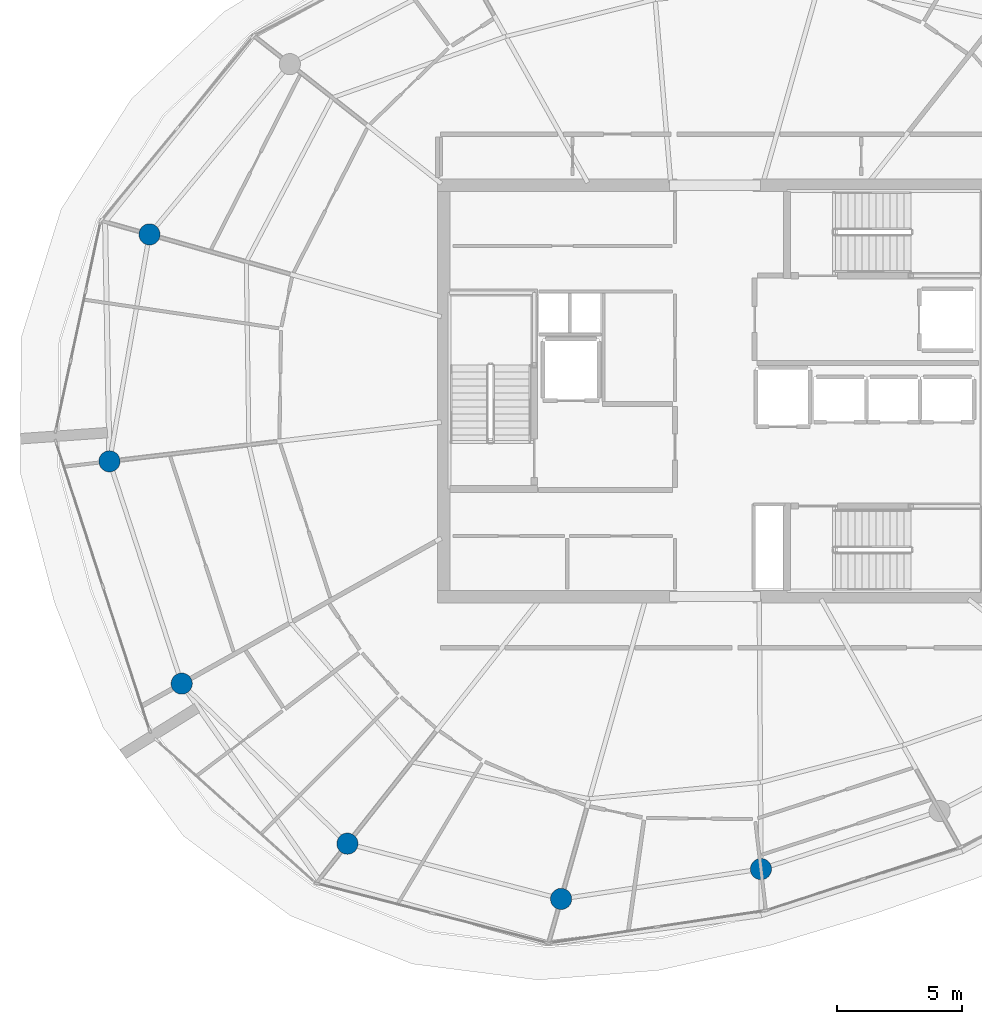
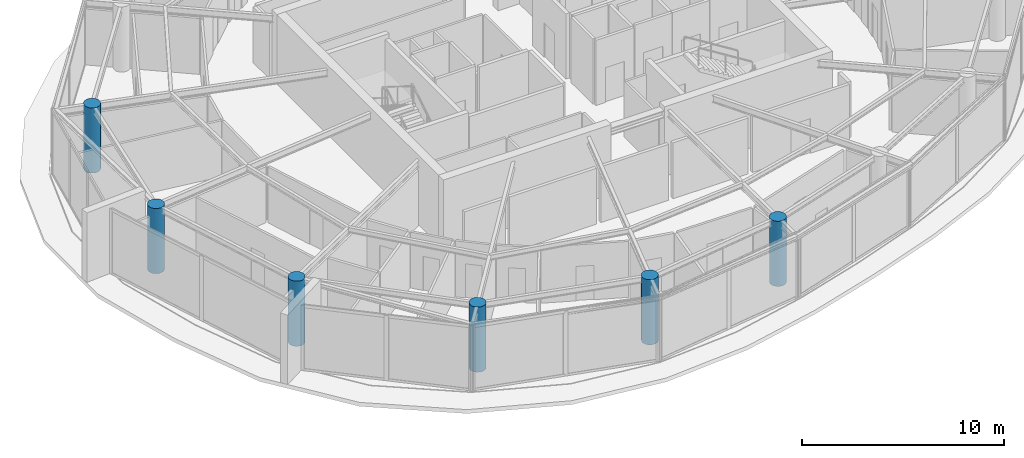
# One storey, part 1 of 16: 6 columns.
"""IFC4 building model written with IfcOpenShell, lengths in metres."""

from ifc_helpers import new_model, si_unit, direction, frame, origin, origin_2d, place, context, subcontext, project, spatial, circle, extrude, material, material_profile, profile_set, type_object, element, save


model = new_model("IFC4")

# Units and contexts
model_context = context("Model", 3, precision=1e-05, world=origin(), true_north=direction((0.0, 1.0)))
body_context = subcontext(model_context, "Body", "Model", "MODEL_VIEW")
ifc_project = project(units=[si_unit("LENGTHUNIT", "METRE"), si_unit("AREAUNIT", "SQUARE_METRE"), si_unit("VOLUMEUNIT", "CUBIC_METRE"), si_unit("PLANEANGLEUNIT", "RADIAN"), si_unit("MASSUNIT", "GRAM", prefix="KILO")], contexts=[model_context])

# Site, building, storey
site_placement = place(None, origin())
site = spatial("IfcSite", under=ifc_project, at=site_placement, CompositionType="ELEMENT")
building_placement = place(site_placement, origin())
building = spatial("IfcBuilding", under=site, at=building_placement, Name="Kazma Halo Residences", CompositionType="ELEMENT")
storey_placement = place(building_placement, frame((0.0, 0.0, 313.699951171875)))
storey = spatial("IfcBuildingStorey", under=building, at=storey_placement, Name="L79", CompositionType="ELEMENT", Elevation=313.699951171875)

# Columns
ifc_material = material(Name="Concrete C60/75", Category="concrete")
ifc_material_profile = material_profile(ifc_material, circle(Radius=0.425048828125, at=origin_2d()), Name="CIRC850")
ifc_profile_set = profile_set([ifc_material_profile], Name="Concrete C60/75")
column_type = type_object("IfcColumnType", Name="COL-PERIM-850", PredefinedType="COLUMN", material=ifc_profile_set)
for number, where, z_axis, x_axis, name in (
    (1, (25.744384765625, 48.276611328125, 0.0), (0.0, 0.0, 1.0), (1.0, 0.0, 0.0), "L79 perimeter ring column P07"),
    (2, (24.1396484375, 39.17578125, 0.0), (0.0, 0.0, 1.0), (1.0, 0.0, 0.0), "L79 perimeter ring column P08"),
    (3, (27.03662109375, 30.260009765625, 0.0), (0.0, 0.0, 1.0), (1.0, 0.0, 0.0), "L79 perimeter ring column P09"),
    (4, (33.68408203125, 23.840576171875, 0.0), (0.0, 0.0, 1.0), (1.0, 0.0, 0.0), "L79 perimeter ring column P10"),
    (5, (42.25341796875, 21.62353515625, 0.0), (0.0, 0.0, 1.0), (1.0, 0.0, 0.0), "L79 perimeter ring column P11"),
    (6, (50.27001953125, 22.82080078125, 0.0), (0.0, 0.0, 1.0), (1.0, 0.0, 0.0), "L79 perimeter ring column P12"),
):
    element("IfcColumn", number, at=place(storey_placement, frame(where, z_axis=z_axis, x_axis=x_axis)), inside=storey, type_object=column_type, Name=name, PredefinedType="COLUMN", context=body_context, shape_type="SweptSolid", body=[
        extrude(circle(Radius=0.425048828125, at=origin_2d()), origin(), (0.0, 0.0, 1.0), 3.93994140625),
    ])

save(model, "model.ifc")
